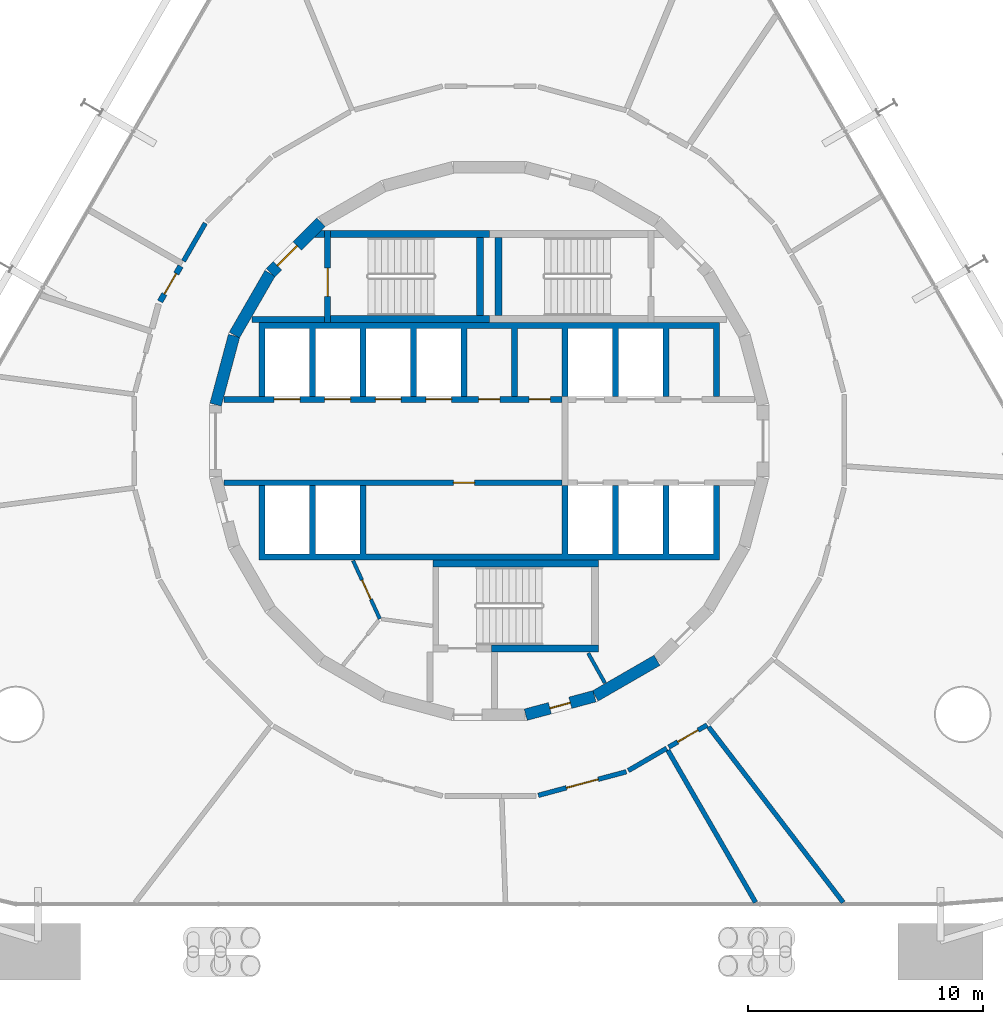
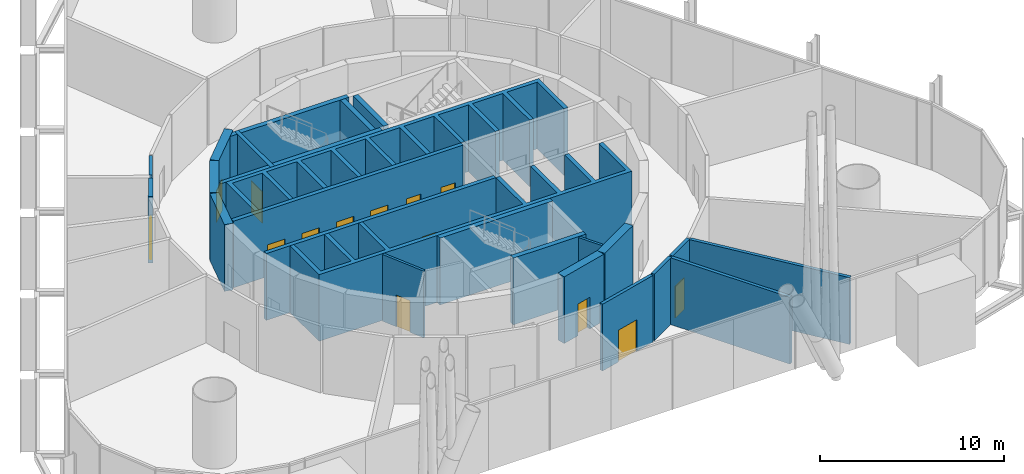
# One storey, part 14 of 17: 27 walls, 14 doors, 14 openings.
"""IFC4 building model written with IfcOpenShell, lengths in metres."""

from ifc_helpers import new_model, si_unit, direction, frame, frame_2d, origin, place, context, subcontext, project, spatial, polyline, rectangle, outline, extrude, material, layer, layer_set, type_object, element, fill, save


model = new_model("IFC4")

# Units and contexts
model_context = context("Model", 3, precision=1e-05, world=origin(), true_north=direction((0.0, 1.0)))
body_context = subcontext(model_context, "Body", "Model", "MODEL_VIEW")
ifc_project = project(units=[si_unit("LENGTHUNIT", "METRE"), si_unit("AREAUNIT", "SQUARE_METRE"), si_unit("VOLUMEUNIT", "CUBIC_METRE"), si_unit("PLANEANGLEUNIT", "RADIAN"), si_unit("MASSUNIT", "GRAM", prefix="KILO")], contexts=[model_context])

# Site, building, storey
site_placement = place(None, origin())
site = spatial("IfcSite", under=ifc_project, at=site_placement, CompositionType="ELEMENT")
building_placement = place(site_placement, origin())
building = spatial("IfcBuilding", under=site, at=building_placement, Name="Spindle Arch Residences", CompositionType="ELEMENT")
storey_placement = place(building_placement, frame((0.0, 0.0, 13.800048828125)))
storey = spatial("IfcBuildingStorey", under=building, at=storey_placement, Name="L02", CompositionType="ELEMENT", Elevation=13.800048828125)

# Wall, opening, door
ifc_material_1 = material(Name="Concrete C50/60", Category="concrete")
ifc_layer_1 = layer(ifc_material_1, 0.5)
ifc_layer_set_1 = layer_set([ifc_layer_1], Name="Core outline wall 500")
wall_type_1 = type_object("IfcWallType", Name="Core outline wall 500", PredefinedType="SHEAR", material=ifc_layer_set_1)
wall_1_placement = place(storey_placement, frame((1.5498046875, -11.642822265625, 0.0), z_axis=(0.0, 0.0, 1.0), x_axis=(0.965948410781, 0.258734743916, 0.0)))
wall_1 = element("IfcWall", 1, at=wall_1_placement, inside=storey, type_object=wall_type_1, Name="Core outline wall 1", PredefinedType="SHEAR", context=body_context, shape_type="SweptSolid", body=[
    extrude(rectangle(XDim=3.03271484375, YDim=0.5, at=frame_2d((1.516357421875, 0.0))), origin(), (0.0, 0.0, 1.0), 4.419921875),
])
opening_1_placement = place(wall_1_placement, frame((1.06640625, 0.0, 0.0)))
opening_1 = element("IfcOpeningElement", 2, at=opening_1_placement, cuts=wall_1, Name="Opening L02-WD08", PredefinedType="OPENING", context=body_context, shape_type="SweptSolid", body=[
    extrude(rectangle(XDim=0.89990234375, YDim=2.10009765625, at=frame_2d((0.449951171875, 1.050048828125))), frame((0.0, 0.260009765625, 0.0), z_axis=(0.0, -1.0, 0.0), x_axis=(1.0, 0.0, 0.0)), (0.0, 0.0, 1.0), 0.52001953125),
])
ifc_material_2 = material(Name="Steel, fire-resisting door", Category="steel")
door_type_1 = type_object("IfcDoorType", Name="Service room door 900x2100", OperationType="SINGLE_SWING_LEFT", PredefinedType="DOOR", material=ifc_material_2)
door_1_placement = place(opening_1_placement, origin())
door_1 = element("IfcDoor", 3, at=door_1_placement, inside=storey, type_object=door_type_1, Name="Service room door L02-WD08", OperationType="SINGLE_SWING_LEFT", OverallHeight=2.10009765625, OverallWidth=0.89990234375, PredefinedType="DOOR", context=body_context, shape_type="SweptSolid", body=[
    extrude(rectangle(XDim=0.89990234375, YDim=2.10009765625, at=frame_2d((0.449951171875, 1.050048828125))), frame((0.0, 0.02490234375, 0.0), z_axis=(0.0, -1.0, 0.0), x_axis=(1.0, 0.0, 0.0)), (0.0, 0.0, 1.0), 0.050048828125),
])
fill(opening_1, door_1)

# Wall
wall_2_placement = place(storey_placement, frame((4.510498046875, -10.84521484375, 0.0), z_axis=(0.0, 0.0, 1.0), x_axis=(0.865975092491, 0.500087131594, 0.0)))
element("IfcWall", 4, at=wall_2_placement, inside=storey, type_object=wall_type_1, Name="Core outline wall 2", PredefinedType="SHEAR", context=body_context, shape_type="SweptSolid", body=[
    extrude(rectangle(XDim=3.03271484375, YDim=0.5, at=frame_2d((1.516357421875, 0.0))), origin(), (0.0, 0.0, 1.0), 4.419921875),
])

# Wall, opening, door
wall_3_placement = place(storey_placement, frame((-7.163818359375, 9.30810546875, 0.0), z_axis=(0.0, 0.0, 1.0), x_axis=(-0.707106781187, -0.707106781187, 0.0)))
wall_3 = element("IfcWall", 5, at=wall_3_placement, inside=storey, type_object=wall_type_1, Name="Core outline wall 15", PredefinedType="SHEAR", context=body_context, shape_type="SweptSolid", body=[
    extrude(rectangle(XDim=3.032470703125, YDim=0.5, at=frame_2d((1.51611328125, 0.0))), origin(), (0.0, 0.0, 1.0), 4.419921875),
])
opening_2_placement = place(wall_3_placement, frame((1.416259765625, 0.0, 0.0)))
opening_2 = element("IfcOpeningElement", 6, at=opening_2_placement, cuts=wall_3, Name="Opening L02-AD02", PredefinedType="OPENING", context=body_context, shape_type="SweptSolid", body=[
    extrude(rectangle(XDim=1.199951171875, YDim=2.10009765625, at=frame_2d((0.60009765625, 1.050048828125))), frame((0.0, 0.260009765625, 0.0), z_axis=(0.0, -1.0, 0.0), x_axis=(1.0, 0.0, 0.0)), (0.0, 0.0, 1.0), 0.52001953125),
])
ifc_material_3 = material(Name="Steel, fire-resisting door", Category="steel")
door_type_2 = type_object("IfcDoorType", Name="Stair airlock door 1200x2100", OperationType="SINGLE_SWING_LEFT", PredefinedType="DOOR", material=ifc_material_3)
door_2_placement = place(opening_2_placement, origin())
door_2 = element("IfcDoor", 7, at=door_2_placement, inside=storey, type_object=door_type_2, Name="Stair airlock door L02-AD02", OperationType="SINGLE_SWING_RIGHT", OverallHeight=2.10009765625, OverallWidth=1.199951171875, PredefinedType="DOOR", context=body_context, shape_type="SweptSolid", body=[
    extrude(rectangle(XDim=1.199951171875, YDim=2.10009765625, at=frame_2d((0.60009765625, 1.050048828125))), frame((0.0, 0.02490234375, 0.0), z_axis=(0.0, -1.0, 0.0), x_axis=(1.0, 0.0, 0.0)), (0.0, 0.0, 1.0), 0.050048828125),
])
fill(opening_2, door_2)

# Walls
for number, where, z_axis, x_axis, name in (
    (8, (-9.32861328125, 7.13671875, 0.0), (0.0, 0.0, 1.0), (-0.500087131594, -0.865975092491, 0.0), "Core outline wall 16"),
    (9, (-10.858154296875, 4.479248046875, 0.0), (0.0, 0.0, 1.0), (-0.258734743916, -0.965948410781, 0.0), "Core outline wall 17"),
):
    element("IfcWall", number, at=place(storey_placement, frame(where, z_axis=z_axis, x_axis=x_axis)), inside=storey, type_object=wall_type_1, Name=name, PredefinedType="SHEAR", context=body_context, shape_type="SweptSolid", body=[
        extrude(rectangle(XDim=3.03271484375, YDim=0.5, at=frame_2d((1.516357421875, 0.0))), origin(), (0.0, 0.0, 1.0), 4.419921875),
    ])

# Wall, openings, doors
ifc_material_4 = material(Name="Concrete C50/60", Category="concrete")
ifc_layer_2 = layer(ifc_material_4, 0.25)
ifc_layer_set_2 = layer_set([ifc_layer_2], Name="Lift shaft wall 250")
wall_type_2 = type_object("IfcWallType", Name="Lift shaft wall 250", PredefinedType="SHEAR", material=ifc_layer_set_2)
wall_4_placement = place(storey_placement, frame((-11.280029296875, 1.77490234375, 0.0), z_axis=(0.0, 0.0, 1.0), x_axis=(1.0, 0.0, 0.0)))
wall_4 = element("IfcWall", 10, at=wall_4_placement, inside=storey, type_object=wall_type_2, Name="Lift shaft front wall NW", PredefinedType="SHEAR", context=body_context, shape_type="SweptSolid", body=[
    extrude(rectangle(XDim=14.380126953125, YDim=0.25, at=frame_2d((7.18994140625, 0.0))), origin(), (0.0, 0.0, 1.0), 4.419921875),
])
opening_3_placement = place(wall_4_placement, frame((2.1298828125, 0.0, 0.0)))
opening_3 = element("IfcOpeningElement", 11, at=opening_3_placement, cuts=wall_4, Name="Opening L02-LD01", PredefinedType="OPENING", context=body_context, shape_type="SweptSolid", body=[
    extrude(rectangle(XDim=1.10009765625, YDim=2.10009765625, at=frame_2d((0.550048828125, 1.050048828125))), frame((0.0, 0.135009765625, 0.0), z_axis=(0.0, -1.0, 0.0), x_axis=(1.0, 0.0, 0.0)), (0.0, 0.0, 1.0), 0.27001953125),
])
opening_4_placement = place(wall_4_placement, frame((4.280029296875, 0.0, 0.0)))
opening_4 = element("IfcOpeningElement", 12, at=opening_4_placement, cuts=wall_4, Name="Opening L02-LD02", PredefinedType="OPENING", context=body_context, shape_type="SweptSolid", body=[
    extrude(rectangle(XDim=1.10009765625, YDim=2.10009765625, at=frame_2d((0.550048828125, 1.050048828125))), frame((0.0, 0.135009765625, 0.0), z_axis=(0.0, -1.0, 0.0), x_axis=(1.0, 0.0, 0.0)), (0.0, 0.0, 1.0), 0.27001953125),
])
opening_5_placement = place(wall_4_placement, frame((6.429931640625, 0.0, 0.0)))
opening_5 = element("IfcOpeningElement", 13, at=opening_5_placement, cuts=wall_4, Name="Opening L02-LD03", PredefinedType="OPENING", context=body_context, shape_type="SweptSolid", body=[
    extrude(rectangle(XDim=1.10009765625, YDim=2.10009765625, at=frame_2d((0.550048828125, 1.050048828125))), frame((0.0, 0.135009765625, 0.0), z_axis=(0.0, -1.0, 0.0), x_axis=(1.0, 0.0, 0.0)), (0.0, 0.0, 1.0), 0.27001953125),
])
opening_6_placement = place(wall_4_placement, frame((8.580078125, 0.0, 0.0)))
opening_6 = element("IfcOpeningElement", 14, at=opening_6_placement, cuts=wall_4, Name="Opening L02-LD04", PredefinedType="OPENING", context=body_context, shape_type="SweptSolid", body=[
    extrude(rectangle(XDim=1.10009765625, YDim=2.10009765625, at=frame_2d((0.550048828125, 1.050048828125))), frame((0.0, 0.135009765625, 0.0), z_axis=(0.0, -1.0, 0.0), x_axis=(1.0, 0.0, 0.0)), (0.0, 0.0, 1.0), 0.27001953125),
])
opening_7_placement = place(wall_4_placement, frame((10.830078125, 0.0, 0.0)))
opening_7 = element("IfcOpeningElement", 15, at=opening_7_placement, cuts=wall_4, Name="Opening L02-WD01", PredefinedType="OPENING", context=body_context, shape_type="SweptSolid", body=[
    extrude(rectangle(XDim=0.89990234375, YDim=2.10009765625, at=frame_2d((0.449951171875, 1.050048828125))), frame((0.0, 0.135009765625, 0.0), z_axis=(0.0, -1.0, 0.0), x_axis=(1.0, 0.0, 0.0)), (0.0, 0.0, 1.0), 0.27001953125),
])
opening_8_placement = place(wall_4_placement, frame((12.97998046875, 0.0, 0.0)))
opening_8 = element("IfcOpeningElement", 16, at=opening_8_placement, cuts=wall_4, Name="Opening L02-WD02", PredefinedType="OPENING", context=body_context, shape_type="SweptSolid", body=[
    extrude(rectangle(XDim=0.89990234375, YDim=2.10009765625, at=frame_2d((0.449951171875, 1.050048828125))), frame((0.0, 0.135009765625, 0.0), z_axis=(0.0, -1.0, 0.0), x_axis=(1.0, 0.0, 0.0)), (0.0, 0.0, 1.0), 0.27001953125),
])
ifc_material_5 = material(Name="Steel, fire-resisting landing door", Category="steel")
door_type_3 = type_object("IfcDoorType", Name="Lift landing door 1100x2100", OperationType="DOUBLE_DOOR_SLIDING", PredefinedType="DOOR", material=ifc_material_5)
door_3_placement = place(opening_3_placement, origin())
door_3 = element("IfcDoor", 17, at=door_3_placement, inside=storey, type_object=door_type_3, Name="Lift landing door L02-LD01", OperationType="DOUBLE_DOOR_SLIDING", OverallHeight=2.10009765625, OverallWidth=1.10009765625, PredefinedType="DOOR", context=body_context, shape_type="SweptSolid", body=[
    extrude(rectangle(XDim=1.10009765625, YDim=2.10009765625, at=frame_2d((0.550048828125, 1.050048828125))), frame((0.0, 0.02490234375, 0.0), z_axis=(0.0, -1.0, 0.0), x_axis=(1.0, 0.0, 0.0)), (0.0, 0.0, 1.0), 0.050048828125),
])
fill(opening_3, door_3)
door_4_placement = place(opening_4_placement, origin())
door_4 = element("IfcDoor", 18, at=door_4_placement, inside=storey, type_object=door_type_3, Name="Lift landing door L02-LD02", OperationType="DOUBLE_DOOR_SLIDING", OverallHeight=2.10009765625, OverallWidth=1.10009765625, PredefinedType="DOOR", context=body_context, shape_type="SweptSolid", body=[
    extrude(rectangle(XDim=1.10009765625, YDim=2.10009765625, at=frame_2d((0.550048828125, 1.050048828125))), frame((0.0, 0.02490234375, 0.0), z_axis=(0.0, -1.0, 0.0), x_axis=(1.0, 0.0, 0.0)), (0.0, 0.0, 1.0), 0.050048828125),
])
fill(opening_4, door_4)
door_5_placement = place(opening_5_placement, origin())
door_5 = element("IfcDoor", 19, at=door_5_placement, inside=storey, type_object=door_type_3, Name="Lift landing door L02-LD03", OperationType="DOUBLE_DOOR_SLIDING", OverallHeight=2.10009765625, OverallWidth=1.10009765625, PredefinedType="DOOR", context=body_context, shape_type="SweptSolid", body=[
    extrude(rectangle(XDim=1.10009765625, YDim=2.10009765625, at=frame_2d((0.550048828125, 1.050048828125))), frame((0.0, 0.02490234375, 0.0), z_axis=(0.0, -1.0, 0.0), x_axis=(1.0, 0.0, 0.0)), (0.0, 0.0, 1.0), 0.050048828125),
])
fill(opening_5, door_5)
door_6_placement = place(opening_6_placement, origin())
door_6 = element("IfcDoor", 20, at=door_6_placement, inside=storey, type_object=door_type_3, Name="Lift landing door L02-LD04", OperationType="DOUBLE_DOOR_SLIDING", OverallHeight=2.10009765625, OverallWidth=1.10009765625, PredefinedType="DOOR", context=body_context, shape_type="SweptSolid", body=[
    extrude(rectangle(XDim=1.10009765625, YDim=2.10009765625, at=frame_2d((0.550048828125, 1.050048828125))), frame((0.0, 0.02490234375, 0.0), z_axis=(0.0, -1.0, 0.0), x_axis=(1.0, 0.0, 0.0)), (0.0, 0.0, 1.0), 0.050048828125),
])
fill(opening_6, door_6)
door_7_placement = place(opening_7_placement, origin())
door_7 = element("IfcDoor", 21, at=door_7_placement, inside=storey, type_object=door_type_1, Name="Service room door L02-WD01", OperationType="SINGLE_SWING_RIGHT", OverallHeight=2.10009765625, OverallWidth=0.89990234375, PredefinedType="DOOR", context=body_context, shape_type="SweptSolid", body=[
    extrude(rectangle(XDim=0.89990234375, YDim=2.10009765625, at=frame_2d((0.449951171875, 1.050048828125))), frame((0.0, 0.02490234375, 0.0), z_axis=(0.0, -1.0, 0.0), x_axis=(1.0, 0.0, 0.0)), (0.0, 0.0, 1.0), 0.050048828125),
])
fill(opening_7, door_7)
door_8_placement = place(opening_8_placement, origin())
door_8 = element("IfcDoor", 22, at=door_8_placement, inside=storey, type_object=door_type_1, Name="Service room door L02-WD02", OperationType="SINGLE_SWING_LEFT", OverallHeight=2.10009765625, OverallWidth=0.89990234375, PredefinedType="DOOR", context=body_context, shape_type="SweptSolid", body=[
    extrude(rectangle(XDim=0.89990234375, YDim=2.10009765625, at=frame_2d((0.449951171875, 1.050048828125))), frame((0.0, 0.02490234375, 0.0), z_axis=(0.0, -1.0, 0.0), x_axis=(1.0, 0.0, 0.0)), (0.0, 0.0, 1.0), 0.050048828125),
])
fill(opening_8, door_8)

# Wall, opening, door
wall_5_placement = place(storey_placement, frame((-11.280029296875, -1.77490234375, 0.0), z_axis=(0.0, 0.0, 1.0), x_axis=(1.0, 0.0, 0.0)))
wall_5 = element("IfcWall", 23, at=wall_5_placement, inside=storey, type_object=wall_type_2, Name="Lift shaft front wall SW", PredefinedType="SHEAR", context=body_context, shape_type="SweptSolid", body=[
    extrude(rectangle(XDim=14.380126953125, YDim=0.25, at=frame_2d((7.18994140625, 0.0))), origin(), (0.0, 0.0, 1.0), 4.419921875),
])
opening_9_placement = place(wall_5_placement, frame((9.7548828125, 0.0, 0.0)))
opening_9 = element("IfcOpeningElement", 24, at=opening_9_placement, cuts=wall_5, Name="Opening L02-WD04", PredefinedType="OPENING", context=body_context, shape_type="SweptSolid", body=[
    extrude(rectangle(XDim=0.89990234375, YDim=2.10009765625, at=frame_2d((0.449951171875, 1.050048828125))), frame((0.0, 0.135009765625, 0.0), z_axis=(0.0, -1.0, 0.0), x_axis=(1.0, 0.0, 0.0)), (0.0, 0.0, 1.0), 0.27001953125),
])
door_9_placement = place(opening_9_placement, origin())
door_9 = element("IfcDoor", 25, at=door_9_placement, inside=storey, type_object=door_type_1, Name="Service room door L02-WD04", OperationType="SINGLE_SWING_LEFT", OverallHeight=2.10009765625, OverallWidth=0.89990234375, PredefinedType="DOOR", context=body_context, shape_type="SweptSolid", body=[
    extrude(rectangle(XDim=0.89990234375, YDim=2.10009765625, at=frame_2d((0.449951171875, 1.050048828125))), frame((0.0, 0.02490234375, 0.0), z_axis=(0.0, -1.0, 0.0), x_axis=(1.0, 0.0, 0.0)), (0.0, 0.0, 1.0), 0.050048828125),
])
fill(opening_9, door_9)

# Walls
ifc_material_6 = material(Name="Concrete C50/60", Category="concrete")
wall_type_3 = type_object("IfcWallType", Name="Lift shaft wall profile", PredefinedType="SHEAR", material=ifc_material_6)
wall_6_placement = place(storey_placement, origin())
element("IfcWall", 26, at=wall_6_placement, inside=storey, type_object=wall_type_3, Name="Lift shaft walls N", PredefinedType="SHEAR", context=body_context, shape_type="SweptSolid", body=[
    extrude(outline(polyline([(-9.550048828125, 4.800048828125), (-7.64990234375, 4.800048828125), (-7.64990234375, 1.89990234375), (-7.39990234375, 1.89990234375), (-7.39990234375, 4.800048828125), (-5.5, 4.800048828125), (-5.5, 1.89990234375), (-5.25, 1.89990234375), (-5.25, 4.800048828125), (-3.35009765625, 4.800048828125), (-3.35009765625, 1.89990234375), (-3.10009765625, 1.89990234375), (-3.10009765625, 4.800048828125), (-1.199951171875, 4.800048828125), (-1.199951171875, 1.89990234375), (-0.949951171875, 1.89990234375), (-0.949951171875, 4.800048828125), (0.949951171875, 4.800048828125), (0.949951171875, 1.89990234375), (1.199951171875, 1.89990234375), (1.199951171875, 4.800048828125), (3.10009765625, 4.800048828125), (3.10009765625, 1.89990234375), (3.35009765625, 1.89990234375), (3.35009765625, 4.800048828125), (5.25, 4.800048828125), (5.25, 1.89990234375), (5.5, 1.89990234375), (5.5, 4.800048828125), (7.39990234375, 4.800048828125), (7.39990234375, 1.89990234375), (7.64990234375, 1.89990234375), (7.64990234375, 4.800048828125), (9.550048828125, 4.800048828125), (9.550048828125, 1.89990234375), (9.800048828125, 1.89990234375), (9.800048828125, 4.800048828125), (9.800048828125, 5.050048828125), (-9.800048828125, 5.050048828125), (-9.800048828125, 4.800048828125), (-9.800048828125, 1.89990234375), (-9.550048828125, 1.89990234375), (-9.550048828125, 4.800048828125)])), origin(), (0.0, 0.0, 1.0), 4.419921875),
])
wall_7_placement = place(storey_placement, origin())
element("IfcWall", 27, at=wall_7_placement, inside=storey, type_object=wall_type_3, Name="Lift shaft walls S", PredefinedType="SHEAR", context=body_context, shape_type="SweptSolid", body=[
    extrude(outline(polyline([(9.800048828125, -5.050048828125), (9.800048828125, -4.800048828125), (9.800048828125, -1.89990234375), (9.550048828125, -1.89990234375), (9.550048828125, -4.800048828125), (7.64990234375, -4.800048828125), (7.64990234375, -1.89990234375), (7.39990234375, -1.89990234375), (7.39990234375, -4.800048828125), (5.5, -4.800048828125), (5.5, -1.89990234375), (5.25, -1.89990234375), (5.25, -4.800048828125), (3.35009765625, -4.800048828125), (3.35009765625, -1.89990234375), (3.10009765625, -1.89990234375), (3.10009765625, -4.800048828125), (-5.25, -4.800048828125), (-5.25, -1.89990234375), (-5.5, -1.89990234375), (-5.5, -4.800048828125), (-7.39990234375, -4.800048828125), (-7.39990234375, -1.89990234375), (-7.64990234375, -1.89990234375), (-7.64990234375, -4.800048828125), (-9.550048828125, -4.800048828125), (-9.550048828125, -1.89990234375), (-9.800048828125, -1.89990234375), (-9.800048828125, -4.800048828125), (-9.800048828125, -5.050048828125), (9.800048828125, -5.050048828125)])), origin(), (0.0, 0.0, 1.0), 4.419921875),
])

# Wall, opening, door
ifc_material_7 = material(Name="Concrete C25/30 wall", Category="concrete")
ifc_layer_3 = layer(ifc_material_7, 0.25)
ifc_layer_set_3 = layer_set([ifc_layer_3], Name="Partition EI 120 250 store")
wall_type_4 = type_object("IfcWallType", Name="Partition EI 120 250 store", PredefinedType="PARTITIONING", material=ifc_layer_set_3)
wall_8_placement = place(storey_placement, frame((-13.1328125, 7.44189453125, 0.0), z_axis=(0.0, 0.0, 1.0), x_axis=(-0.502578988357, -0.864531295247, 0.0)))
wall_8 = element("IfcWall", 28, at=wall_8_placement, inside=storey, type_object=wall_type_4, Name="L02-W010", PredefinedType="PARTITIONING", context=body_context, shape_type="SweptSolid", body=[
    extrude(rectangle(XDim=1.739501953125, YDim=0.25, at=frame_2d((0.86962890625, 0.0))), origin(), (0.0, 0.0, 1.0), 4.419921875),
])
opening_10_placement = place(wall_8_placement, frame((0.369873046875, 0.0, 0.0)))
opening_10 = element("IfcOpeningElement", 29, at=opening_10_placement, cuts=wall_8, Name="Opening L02-D10", PredefinedType="OPENING", context=body_context, shape_type="SweptSolid", body=[
    extrude(rectangle(XDim=1.0, YDim=2.10009765625, at=frame_2d((0.5, 1.050048828125))), frame((0.0, 0.135009765625, 0.0), z_axis=(0.0, -1.0, 0.0), x_axis=(1.0, 0.0, 0.0)), (0.0, 0.0, 1.0), 0.27001953125),
])
ifc_material_8 = material(Name="Steel door leaf, painted", Category="steel")
door_type_4 = type_object("IfcDoorType", Name="Door 1000x2100 EI 60", OperationType="SINGLE_SWING_LEFT", PredefinedType="DOOR", material=ifc_material_8)
door_10_placement = place(opening_10_placement, origin())
door_10 = element("IfcDoor", 30, at=door_10_placement, inside=storey, type_object=door_type_4, Name="L02-D10", OperationType="SINGLE_SWING_LEFT", OverallHeight=2.10009765625, OverallWidth=1.0, PredefinedType="DOOR", context=body_context, shape_type="SweptSolid", body=[
    extrude(rectangle(XDim=1.0, YDim=2.10009765625, at=frame_2d((0.5, 1.050048828125))), frame((0.0, 0.02490234375, 0.0), z_axis=(0.0, -1.0, 0.0), x_axis=(1.0, 0.0, 0.0)), (0.0, 0.0, 1.0), 0.050048828125),
])
fill(opening_10, door_10)

# Wall
ifc_material_9 = material(Name="Gypsum board partition on steel studs", Category="steel")
ifc_layer_4 = layer(ifc_material_9, 0.199951171875)
ifc_layer_set_4 = layer_set([ifc_layer_4], Name="Partition EI 60 200 amenity")
wall_type_5 = type_object("IfcWallType", Name="Partition EI 60 200 amenity", PredefinedType="PARTITIONING", material=ifc_layer_set_4)
wall_9_placement = place(storey_placement, frame((-12.080078125, 9.27001953125, 0.0), z_axis=(0.0, 0.0, 1.0), x_axis=(-0.498809049979, -0.86671190811, 0.0)))
element("IfcWall", 31, at=wall_9_placement, inside=storey, type_object=wall_type_5, Name="L02-W012", PredefinedType="PARTITIONING", context=body_context, shape_type="SweptSolid", body=[
    extrude(rectangle(XDim=1.859375, YDim=0.199951171875, at=frame_2d((0.9296875, 0.0))), origin(), (0.0, 0.0, 1.0), 4.419921875),
])

# Wall, opening, door
wall_10_placement = place(storey_placement, frame((2.086669921875, -15.073974609375, 0.0), z_axis=(0.0, 0.0, 1.0), x_axis=(0.965870133458, 0.259026804199, 0.0)))
wall_10 = element("IfcWall", 32, at=wall_10_placement, inside=storey, type_object=wall_type_5, Name="L02-W023", PredefinedType="PARTITIONING", context=body_context, shape_type="SweptSolid", body=[
    extrude(rectangle(XDim=3.875732421875, YDim=0.199951171875, at=frame_2d((1.93798828125, 0.0))), origin(), (0.0, 0.0, 1.0), 4.419921875),
])
opening_11_placement = place(wall_10_placement, frame((1.23779296875, 0.0, 0.0)))
opening_11 = element("IfcOpeningElement", 33, at=opening_11_placement, cuts=wall_10, Name="Opening L02-D01", PredefinedType="OPENING", context=body_context, shape_type="SweptSolid", body=[
    extrude(rectangle(XDim=1.39990234375, YDim=2.10009765625, at=frame_2d((0.699951171875, 1.050048828125))), frame((0.0, 0.10986328125, 0.0), z_axis=(0.0, -1.0, 0.0), x_axis=(1.0, 0.0, 0.0)), (0.0, 0.0, 1.0), 0.219970703125),
])
ifc_material_10 = material(Name="Timber door leaves, acoustic seals", Category="wood")
door_type_5 = type_object("IfcDoorType", Name="Library double door EI 30 1400x2100", OperationType="DOUBLE_DOOR_SINGLE_SWING", PredefinedType="DOOR", material=ifc_material_10)
door_11_placement = place(opening_11_placement, origin())
door_11 = element("IfcDoor", 34, at=door_11_placement, inside=storey, type_object=door_type_5, Name="L02-D01", OperationType="DOUBLE_DOOR_SINGLE_SWING", OverallHeight=2.10009765625, OverallWidth=1.39990234375, PredefinedType="DOOR", context=body_context, shape_type="SweptSolid", body=[
    extrude(rectangle(XDim=1.39990234375, YDim=2.10009765625, at=frame_2d((0.699951171875, 1.050048828125))), frame((0.0, 0.02490234375, 0.0), z_axis=(0.0, -1.0, 0.0), x_axis=(1.0, 0.0, 0.0)), (0.0, 0.0, 1.0), 0.050048828125),
])
fill(opening_11, door_11)

# Wall
wall_11_placement = place(storey_placement, frame((5.91650390625, -14.019775390625, 0.0), z_axis=(0.0, 0.0, 1.0), x_axis=(0.864513714777, 0.502609228887, 0.0)))
element("IfcWall", 35, at=wall_11_placement, inside=storey, type_object=wall_type_5, Name="L02-W025", PredefinedType="PARTITIONING", context=body_context, shape_type="SweptSolid", body=[
    extrude(rectangle(XDim=1.8896484375, YDim=0.199951171875, at=frame_2d((0.94482421875, 0.0))), origin(), (0.0, 0.0, 1.0), 4.419921875),
])

# Wall, opening, door
wall_12_placement = place(storey_placement, frame((7.63671875, -13.02001953125, 0.0), z_axis=(0.0, 0.0, 1.0), x_axis=(0.86672429601, 0.49878752461, 0.0)))
wall_12 = element("IfcWall", 36, at=wall_12_placement, inside=storey, type_object=wall_type_5, Name="L02-W027", PredefinedType="PARTITIONING", context=body_context, shape_type="SweptSolid", body=[
    extrude(rectangle(XDim=1.884521484375, YDim=0.199951171875, at=frame_2d((0.9423828125, 0.0))), origin(), (0.0, 0.0, 1.0), 4.419921875),
])
opening_12_placement = place(wall_12_placement, frame((0.4423828125, 0.0, 0.0)))
opening_12 = element("IfcOpeningElement", 37, at=opening_12_placement, cuts=wall_12, Name="Opening L02-D03", PredefinedType="OPENING", context=body_context, shape_type="SweptSolid", body=[
    extrude(rectangle(XDim=1.0, YDim=2.10009765625, at=frame_2d((0.5, 1.050048828125))), frame((0.0, 0.10986328125, 0.0), z_axis=(0.0, -1.0, 0.0), x_axis=(1.0, 0.0, 0.0)), (0.0, 0.0, 1.0), 0.219970703125),
])
ifc_material_11 = material(Name="Timber door leaf", Category="wood")
door_type_6 = type_object("IfcDoorType", Name="Door 1000x2100 EI 30", OperationType="SINGLE_SWING_LEFT", PredefinedType="DOOR", material=ifc_material_11)
door_12_placement = place(opening_12_placement, origin())
door_12 = element("IfcDoor", 38, at=door_12_placement, inside=storey, type_object=door_type_6, Name="L02-D03", OperationType="SINGLE_SWING_LEFT", OverallHeight=2.10009765625, OverallWidth=1.0, PredefinedType="DOOR", context=body_context, shape_type="SweptSolid", body=[
    extrude(rectangle(XDim=1.0, YDim=2.10009765625, at=frame_2d((0.5, 1.050048828125))), frame((0.0, 0.02490234375, 0.0), z_axis=(0.0, -1.0, 0.0), x_axis=(1.0, 0.0, 0.0)), (0.0, 0.0, 1.0), 0.050048828125),
])
fill(opening_12, door_12)

# Walls
wall_13_placement = place(storey_placement, frame((7.599853515625, -13.15673828125, 0.0), z_axis=(0.0, 0.0, 1.0), x_axis=(0.499292387003, -0.866433559069, 0.0)))
element("IfcWall", 39, at=wall_13_placement, inside=storey, type_object=wall_type_5, Name="L02-W028", PredefinedType="PARTITIONING", context=body_context, shape_type="SweptSolid", body=[
    extrude(rectangle(XDim=7.470947265625, YDim=0.199951171875, at=frame_2d((3.7353515625, 0.0))), origin(), (0.0, 0.0, 1.0), 4.419921875),
])
wall_14_placement = place(storey_placement, frame((9.330810546875, -12.159423828125, 0.0), z_axis=(0.0, 0.0, 1.0), x_axis=(0.608558385637, -0.793509099677, 0.0)))
element("IfcWall", 40, at=wall_14_placement, inside=storey, type_object=wall_type_5, Name="L02-W032", PredefinedType="PARTITIONING", context=body_context, shape_type="SweptSolid", body=[
    extrude(rectangle(XDim=9.41455078125, YDim=0.199951171875, at=frame_2d((4.707275390625, 0.0))), origin(), (0.0, 0.0, 1.0), 4.419921875),
])
ifc_material_12 = material(Name="Concrete C25/30", Category="concrete")
ifc_layer_5 = layer(ifc_material_12, 0.14990234375)
ifc_layer_set_5 = layer_set([ifc_layer_5], Name="Service room partition 150")
wall_type_6 = type_object("IfcWallType", Name="Service room partition 150", PredefinedType="PARTITIONING", material=ifc_layer_set_5)
wall_15_placement = place(storey_placement, frame((4.922119140625, -10.295654296875, 0.0), z_axis=(0.0, 0.0, 1.0), x_axis=(-0.48860846254, 0.872503163509, 0.0)))
element("IfcWall", 41, at=wall_15_placement, inside=storey, type_object=wall_type_6, Name="Core service room partition", PredefinedType="PARTITIONING", context=body_context, shape_type="SweptSolid", body=[
    extrude(rectangle(XDim=1.45947265625, YDim=0.14990234375, at=frame_2d((0.729736328125, 0.0))), origin(), (0.0, 0.0, 1.0), 4.419921875),
])

# Wall, opening, door
wall_16_placement = place(storey_placement, frame((-5.794921875, -5.086181640625, 0.0), z_axis=(0.0, 0.0, 1.0), x_axis=(0.417887867606, -0.908498613157, 0.0)))
wall_16 = element("IfcWall", 42, at=wall_16_placement, inside=storey, type_object=wall_type_6, Name="Core service room partition", PredefinedType="PARTITIONING", context=body_context, shape_type="SweptSolid", body=[
    extrude(rectangle(XDim=2.72607421875, YDim=0.14990234375, at=frame_2d((1.363037109375, 0.0))), origin(), (0.0, 0.0, 1.0), 4.419921875),
])
opening_13_placement = place(wall_16_placement, frame((0.912841796875, 0.0, 0.0)))
opening_13 = element("IfcOpeningElement", 43, at=opening_13_placement, cuts=wall_16, Name="Opening L02-WD05", PredefinedType="OPENING", context=body_context, shape_type="SweptSolid", body=[
    extrude(rectangle(XDim=0.89990234375, YDim=2.10009765625, at=frame_2d((0.449951171875, 1.050048828125))), frame((0.0, 0.0849609375, 0.0), z_axis=(0.0, -1.0, 0.0), x_axis=(1.0, 0.0, 0.0)), (0.0, 0.0, 1.0), 0.169921875),
])
door_13_placement = place(opening_13_placement, origin())
door_13 = element("IfcDoor", 44, at=door_13_placement, inside=storey, type_object=door_type_1, Name="Service room door L02-WD05", OperationType="SINGLE_SWING_RIGHT", OverallHeight=2.10009765625, OverallWidth=0.89990234375, PredefinedType="DOOR", context=body_context, shape_type="SweptSolid", body=[
    extrude(rectangle(XDim=0.89990234375, YDim=2.10009765625, at=frame_2d((0.449951171875, 1.050048828125))), frame((0.0, 0.02490234375, 0.0), z_axis=(0.0, -1.0, 0.0), x_axis=(1.0, 0.0, 0.0)), (0.0, 0.0, 1.0), 0.050048828125),
])
fill(opening_13, door_13)

# Walls
ifc_material_13 = material(Name="Concrete C40/50", Category="concrete")
ifc_layer_6 = layer(ifc_material_13, 0.25)
ifc_layer_set_6 = layer_set([ifc_layer_6], Name="Stair airlock wall 250")
wall_type_7 = type_object("IfcWallType", Name="Stair airlock wall 250", PredefinedType="SHEAR", material=ifc_layer_set_6)
wall_17_placement = place(storey_placement, frame((-7.0, 5.175048828125, 0.0), z_axis=(0.0, 0.0, 1.0), x_axis=(-1.0, 0.0, 0.0)))
element("IfcWall", 45, at=wall_17_placement, inside=storey, type_object=wall_type_7, Name="Stair ST-2 airlock wall S", PredefinedType="SHEAR", context=body_context, shape_type="SweptSolid", body=[
    extrude(rectangle(XDim=3.10009765625, YDim=0.25, at=frame_2d((1.550048828125, 0.0))), origin(), (0.0, 0.0, 1.0), 4.419921875),
])
ifc_material_14 = material(Name="Concrete C40/50", Category="concrete")
wall_type_8 = type_object("IfcWallType", Name="Stair airlock wall profile", PredefinedType="SHEAR", material=ifc_material_14)
wall_18_placement = place(storey_placement, origin())
element("IfcWall", 46, at=wall_18_placement, inside=storey, type_object=wall_type_8, Name="Stair ST-2 airlock wall N", PredefinedType="SHEAR", context=body_context, shape_type="SweptSolid", body=[
    extrude(outline(polyline([(-7.148193359375, 8.969970703125), (-7.0, 8.969970703125), (-7.0, 8.669921875), (-7.4482421875, 8.669921875), (-7.148193359375, 8.969970703125)])), origin(), (0.0, 0.0, 1.0), 4.419921875),
])

# Wall, opening, door
ifc_material_15 = material(Name="Concrete C50/60", Category="concrete")
ifc_layer_7 = layer(ifc_material_15, 0.25)
ifc_layer_set_7 = layer_set([ifc_layer_7], Name="Stair enclosure wall 250")
wall_type_9 = type_object("IfcWallType", Name="Stair enclosure wall 250", PredefinedType="SHEAR", material=ifc_layer_set_7)
wall_19_placement = place(storey_placement, frame((-6.875, 8.969970703125, 0.0), z_axis=(0.0, 0.0, 1.0), x_axis=(0.0, -1.0, 0.0)))
wall_19 = element("IfcWall", 47, at=wall_19_placement, inside=storey, type_object=wall_type_9, Name="Stair ST-2 door wall", PredefinedType="SHEAR", context=body_context, shape_type="SweptSolid", body=[
    extrude(rectangle(XDim=3.919921875, YDim=0.25, at=frame_2d((1.9599609375, 0.0))), origin(), (0.0, 0.0, 1.0), 4.419921875),
])
opening_14_placement = place(wall_19_placement, frame((1.610107421875, 0.0, 0.0)))
opening_14 = element("IfcOpeningElement", 48, at=opening_14_placement, cuts=wall_19, Name="Opening L02-SD02", PredefinedType="OPENING", context=body_context, shape_type="SweptSolid", body=[
    extrude(rectangle(XDim=1.199951171875, YDim=2.10009765625, at=frame_2d((0.60009765625, 1.050048828125))), frame((0.0, 0.135009765625, 0.0), z_axis=(0.0, -1.0, 0.0), x_axis=(1.0, 0.0, 0.0)), (0.0, 0.0, 1.0), 0.27001953125),
])
ifc_material_16 = material(Name="Steel, fire-resisting door", Category="steel")
door_type_7 = type_object("IfcDoorType", Name="Stair door 1200x2100", OperationType="SINGLE_SWING_RIGHT", PredefinedType="DOOR", material=ifc_material_16)
door_14_placement = place(opening_14_placement, origin())
door_14 = element("IfcDoor", 49, at=door_14_placement, inside=storey, type_object=door_type_7, Name="Stair door L02-SD02", OperationType="SINGLE_SWING_LEFT", OverallHeight=2.10009765625, OverallWidth=1.199951171875, PredefinedType="DOOR", context=body_context, shape_type="SweptSolid", body=[
    extrude(rectangle(XDim=1.199951171875, YDim=2.10009765625, at=frame_2d((0.60009765625, 1.050048828125))), frame((0.0, 0.02490234375, 0.0), z_axis=(0.0, -1.0, 0.0), x_axis=(1.0, 0.0, 0.0)), (0.0, 0.0, 1.0), 0.050048828125),
])
fill(opening_14, door_14)

# Walls
ifc_material_17 = material(Name="Concrete C50/60", Category="concrete")
ifc_layer_8 = layer(ifc_material_17, 0.300048828125)
ifc_layer_set_8 = layer_set([ifc_layer_8], Name="Stair enclosure wall 300")
wall_type_10 = type_object("IfcWallType", Name="Stair enclosure wall 300", PredefinedType="SHEAR", material=ifc_layer_set_8)
wall_20_placement = place(storey_placement, frame((0.39990234375, 5.35009765625, 0.0), z_axis=(0.0, 0.0, 1.0), x_axis=(0.0, 1.0, 0.0)))
element("IfcWall", 50, at=wall_20_placement, inside=storey, type_object=wall_type_10, Name="Stair ST-1 enclosure wall F", PredefinedType="SHEAR", context=body_context, shape_type="SweptSolid", body=[
    extrude(rectangle(XDim=3.31982421875, YDim=0.300048828125, at=frame_2d((1.659912109375, 0.0))), origin(), (0.0, 0.0, 1.0), 4.419921875),
])
for number, where, z_axis, x_axis, name in (
    (51, (-6.75, 5.199951171875, 0.0), (0.0, 0.0, 1.0), (1.0, 0.0, 0.0), "Stair ST-2 enclosure wall S"),
    (52, (-6.75, 8.820068359375, 0.0), (0.0, 0.0, 1.0), (1.0, 0.0, 0.0), "Stair ST-2 enclosure wall N"),
):
    element("IfcWall", number, at=place(storey_placement, frame(where, z_axis=z_axis, x_axis=x_axis)), inside=storey, type_object=wall_type_10, Name=name, PredefinedType="SHEAR", context=body_context, shape_type="SweptSolid", body=[
        extrude(rectangle(XDim=6.75, YDim=0.300048828125, at=frame_2d((3.375, 0.0))), origin(), (0.0, 0.0, 1.0), 4.419921875),
    ])
wall_21_placement = place(storey_placement, frame((-0.39990234375, 5.35009765625, 0.0), z_axis=(0.0, 0.0, 1.0), x_axis=(0.0, 1.0, 0.0)))
element("IfcWall", 53, at=wall_21_placement, inside=storey, type_object=wall_type_10, Name="Stair ST-2 enclosure wall F", PredefinedType="SHEAR", context=body_context, shape_type="SweptSolid", body=[
    extrude(rectangle(XDim=3.31982421875, YDim=0.300048828125, at=frame_2d((1.659912109375, 0.0))), origin(), (0.0, 0.0, 1.0), 4.419921875),
])
wall_22_placement = place(storey_placement, frame((-2.39990234375, -5.199951171875, 0.0), z_axis=(0.0, 0.0, 1.0), x_axis=(1.0, 0.0, 0.0)))
element("IfcWall", 54, at=wall_22_placement, inside=storey, type_object=wall_type_10, Name="Stair ST-3 enclosure wall N", PredefinedType="SHEAR", context=body_context, shape_type="SweptSolid", body=[
    extrude(rectangle(XDim=7.0498046875, YDim=0.300048828125, at=frame_2d((3.52490234375, 0.0))), origin(), (0.0, 0.0, 1.0), 4.419921875),
])
wall_23_placement = place(storey_placement, frame((0.10009765625, -8.820068359375, 0.0), z_axis=(0.0, 0.0, 1.0), x_axis=(1.0, 0.0, 0.0)))
element("IfcWall", 55, at=wall_23_placement, inside=storey, type_object=wall_type_10, Name="Stair ST-3 enclosure wall S", PredefinedType="SHEAR", context=body_context, shape_type="SweptSolid", body=[
    extrude(rectangle(XDim=4.5498046875, YDim=0.300048828125, at=frame_2d((2.27490234375, 0.0))), origin(), (0.0, 0.0, 1.0), 4.419921875),
])

save(model, "model.ifc")
